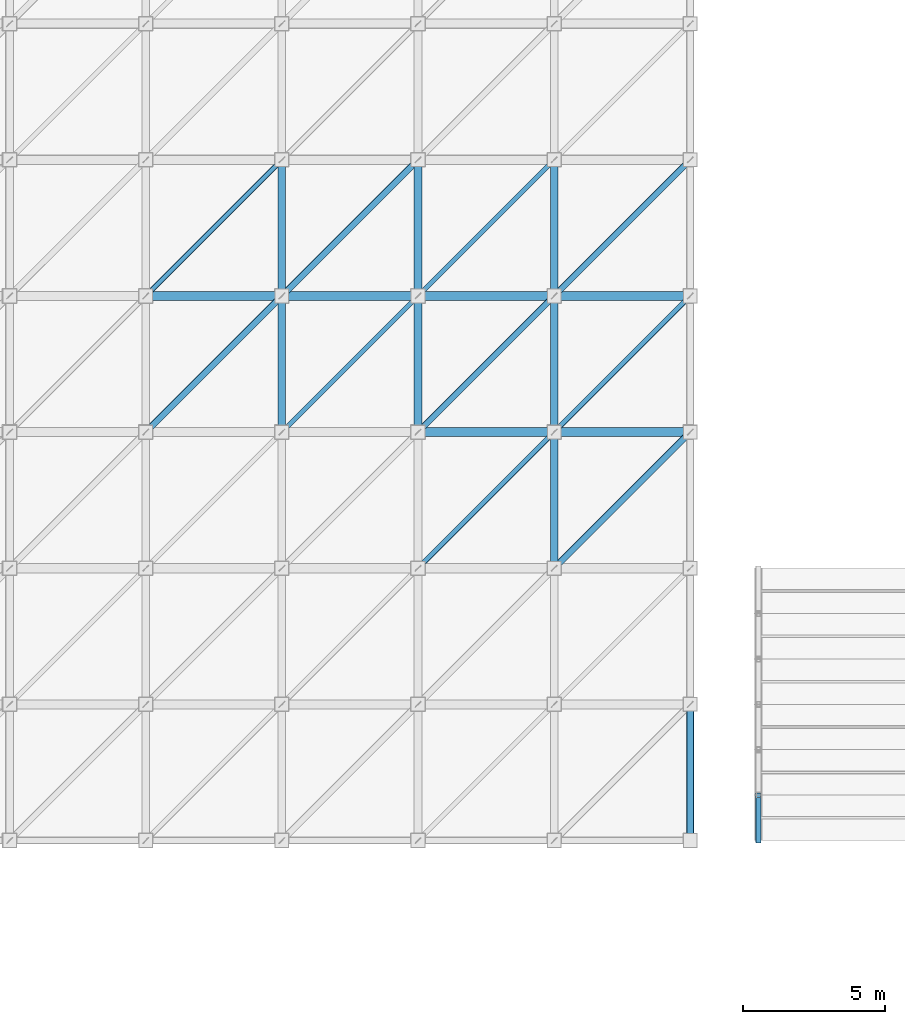
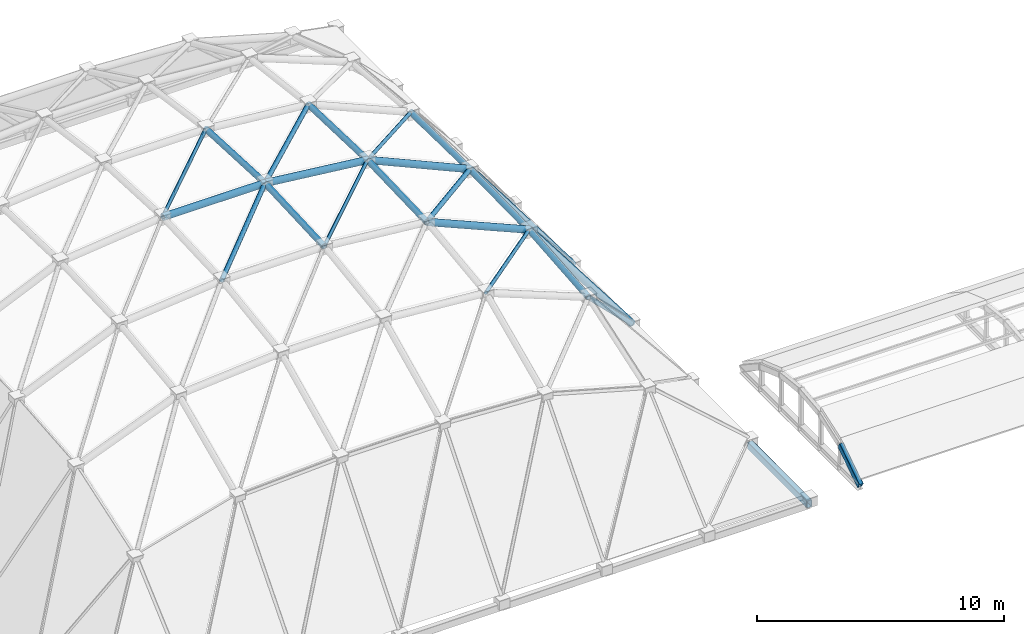
# One storey, part 3 of 70: 24 members, 1 beam.
"""IFC4 building model written with IfcOpenShell, lengths in metres."""

from ifc_helpers import new_model, si_unit, direction, frame, origin, origin_2d, place, context, subcontext, project, spatial, hollow_rectangle, hollow_circle, extrude, material, material_profile, profile_set, type_object, element, save


model = new_model("IFC4")

# Units and contexts
model_context = context("Model", 3, precision=1e-05, world=origin(), true_north=direction((0.0, 1.0)))
body_context = subcontext(model_context, "Body", "Model", "MODEL_VIEW")
ifc_project = project(units=[si_unit("LENGTHUNIT", "METRE"), si_unit("AREAUNIT", "SQUARE_METRE"), si_unit("VOLUMEUNIT", "CUBIC_METRE"), si_unit("PLANEANGLEUNIT", "RADIAN"), si_unit("MASSUNIT", "GRAM", prefix="KILO")], contexts=[model_context])

# Site, building, storey
site_placement = place(None, origin())
site = spatial("IfcSite", under=ifc_project, at=site_placement, CompositionType="ELEMENT")
building_placement = place(site_placement, origin())
building = spatial("IfcBuilding", under=site, at=building_placement, Name="Mavantir Sound Aquarium", CompositionType="ELEMENT")
storey_placement = place(building_placement, frame((0.0, 0.0, 27.0)))
storey = spatial("IfcBuildingStorey", under=building, at=storey_placement, Name="RF", CompositionType="ELEMENT", Elevation=27.0)

# Beam
ifc_material = material(Name="Hollow Structural Steel ASTM A500 GrC", Category="steel")
ifc_material_profile_1 = material_profile(ifc_material, hollow_rectangle(XDim=0.25, YDim=0.35009765625, WallThickness=0.012451171875, InnerFilletRadius=0.012451171875, OuterFilletRadius=0.02490234375, at=origin_2d()), Name="RHS 350X250X12.5")
ifc_profile_set_1 = profile_set([ifc_material_profile_1], Name="Hollow Structural Steel ASTM A500 GrC")
beam_type = type_object("IfcBeamType", Name="BM-RB-RHS350-E", PredefinedType="BEAM", material=ifc_profile_set_1)
beam_placement = place(storey_placement, frame((33.60009765625, 40.800048828125, -7.419921875), z_axis=(0.0, 0.999991302772, 0.004170656977), x_axis=(-1.0, 0.0, 0.0)))
element("IfcBeam", 1, at=beam_placement, inside=storey, type_object=beam_type, Name="Gridshell perimeter ring beam RB-02 16", PredefinedType="BEAM", context=body_context, shape_type="SweptSolid", body=[
    extrude(hollow_rectangle(XDim=0.25, YDim=0.35009765625, WallThickness=0.012451171875, InnerFilletRadius=0.012451171875, OuterFilletRadius=0.02490234375, at=origin_2d()), origin(), (0.0, 0.0, 1.0), 4.800048828125),
])

# Members
ifc_material_profile_2 = material_profile(ifc_material, hollow_rectangle(XDim=0.199951171875, YDim=0.300048828125, WallThickness=0.012451171875, InnerFilletRadius=0.012451171875, OuterFilletRadius=0.02490234375, at=origin_2d()), Name="RHS 300X200X12.5")
ifc_profile_set_2 = profile_set([ifc_material_profile_2], Name="Hollow Structural Steel ASTM A500 GrC")
member_type_1 = type_object("IfcMemberType", Name="MEM-AR-RHS300", PredefinedType="CHORD", material=ifc_profile_set_2)
member_1_placement = place(storey_placement, frame((36.0, 40.800048828125, -7.35009765625), z_axis=(0.0, 0.833319769335, 0.552791246345), x_axis=(-1.0, 0.0, 0.0)))
element("IfcMember", 2, at=member_1_placement, inside=storey, type_object=member_type_1, Name="V2 barrel vault arch rib 2", PredefinedType="CHORD", context=body_context, shape_type="SweptSolid", body=[
    extrude(hollow_rectangle(XDim=0.199951171875, YDim=0.300048828125, WallThickness=0.012451171875, InnerFilletRadius=0.012451171875, OuterFilletRadius=0.02490234375, at=origin_2d()), origin(), (0.0, 0.0, 1.0), 1.919921875),
])
ifc_material_profile_3 = material_profile(ifc_material, hollow_circle(Radius=0.084228515625, WallThickness=0.008056640625, at=origin_2d()), Name="CHS 168.3X8")
ifc_profile_set_3 = profile_set([ifc_material_profile_3], Name="Hollow Structural Steel ASTM A500 GrC")
member_type_2 = type_object("IfcMemberType", Name="MEM-GS-CH168", PredefinedType="BRACE", material=ifc_profile_set_3)
member_2_placement = place(storey_placement, frame((14.39990234375, 60.0, 1.867919921875), z_axis=(0.706717504442, 0.706717504442, -0.033177369239), x_axis=(-0.707106781187, 0.707106781187, 0.0)))
element("IfcMember", 3, at=member_2_placement, inside=storey, type_object=member_type_2, Name="Gridshell diagonal brace 29", PredefinedType="BRACE", context=body_context, shape_type="SweptSolid", body=[
    extrude(hollow_circle(Radius=0.084228515625, WallThickness=0.008056640625, at=origin_2d()), origin(), (0.0, 0.0, 1.0), 6.7919921875),
])
member_3_placement = place(storey_placement, frame((19.199951171875, 55.199951171875, 1.642578125), z_axis=(0.706378416175, 0.706378416175, -0.045376936047), x_axis=(-0.707106781187, 0.707106781187, 0.0)))
element("IfcMember", 4, at=member_3_placement, inside=storey, type_object=member_type_2, Name="Gridshell diagonal brace 36", PredefinedType="BRACE", context=body_context, shape_type="SweptSolid", body=[
    extrude(hollow_circle(Radius=0.084228515625, WallThickness=0.008056640625, at=origin_2d()), origin(), (0.0, 0.0, 1.0), 6.79541015625),
])
member_4_placement = place(storey_placement, frame((24.0, 50.39990234375, 0.575927734375), z_axis=(0.691140600097, 0.691140600097, -0.21130390861), x_axis=(-0.707106781187, 0.707106781187, 0.0)))
element("IfcMember", 5, at=member_4_placement, inside=storey, type_object=member_type_2, Name="Gridshell diagonal brace 43", PredefinedType="BRACE", context=body_context, shape_type="SweptSolid", body=[
    extrude(hollow_circle(Radius=0.084228515625, WallThickness=0.008056640625, at=origin_2d()), origin(), (0.0, 0.0, 1.0), 6.945068359375),
])
member_5_placement = place(storey_placement, frame((24.0, 60.0, 1.334228515625), z_axis=(0.671909067511, 0.671909067511, -0.311570874752), x_axis=(-0.707106781187, 0.707106781187, 0.0)))
element("IfcMember", 6, at=member_5_placement, inside=storey, type_object=member_type_2, Name="Gridshell diagonal brace 45", PredefinedType="BRACE", context=body_context, shape_type="SweptSolid", body=[
    extrude(hollow_circle(Radius=0.084228515625, WallThickness=0.008056640625, at=origin_2d()), origin(), (0.0, 0.0, 1.0), 7.143798828125),
])
member_6_placement = place(storey_placement, frame((28.800048828125, 55.199951171875, -0.8916015625), z_axis=(0.517975495751, 0.517975495751, -0.680736932745), x_axis=(-0.707106781187, 0.707106781187, 0.0)))
element("IfcMember", 7, at=member_6_placement, inside=storey, type_object=member_type_2, Name="Gridshell diagonal brace 52", PredefinedType="BRACE", context=body_context, shape_type="SweptSolid", body=[
    extrude(hollow_circle(Radius=0.084228515625, WallThickness=0.008056640625, at=origin_2d()), origin(), (0.0, 0.0, 1.0), 9.266845703125),
])
ifc_material_profile_4 = material_profile(ifc_material, hollow_circle(Radius=0.109619140625, WallThickness=0.010009765625, at=origin_2d()), Name="CHS 219.1X10")
ifc_profile_set_4 = profile_set([ifc_material_profile_4], Name="Hollow Structural Steel ASTM A500 GrC")
member_type_3 = type_object("IfcMemberType", Name="MEM-GS-CH219", PredefinedType="BRACE", material=ifc_profile_set_4)
member_7_placement = place(storey_placement, frame((14.39990234375, 55.199951171875, 1.642578125), z_axis=(0.706717504442, 0.706717504442, 0.033177369239), x_axis=(-0.707106781187, 0.707106781187, 0.0)))
element("IfcMember", 8, at=member_7_placement, inside=storey, type_object=member_type_3, Name="Gridshell diagonal brace 28", PredefinedType="BRACE", context=body_context, shape_type="SweptSolid", body=[
    extrude(hollow_circle(Radius=0.109619140625, WallThickness=0.010009765625, at=origin_2d()), origin(), (0.0, 0.0, 1.0), 6.7919921875),
])
member_8_placement = place(storey_placement, frame((19.199951171875, 60.0, 1.867919921875), z_axis=(0.7034443295, 0.7034443295, -0.101647186822), x_axis=(-0.707106781187, 0.707106781187, 0.0)))
element("IfcMember", 9, at=member_8_placement, inside=storey, type_object=member_type_3, Name="Gridshell diagonal brace 37", PredefinedType="BRACE", context=body_context, shape_type="SweptSolid", body=[
    extrude(hollow_circle(Radius=0.109619140625, WallThickness=0.010009765625, at=origin_2d()), origin(), (0.0, 0.0, 1.0), 6.82373046875),
])
member_9_placement = place(storey_placement, frame((24.0, 55.199951171875, 1.17431640625), z_axis=(0.678879899321, 0.678879899321, -0.27972158407), x_axis=(-0.707106781187, 0.707106781187, 0.0)))
element("IfcMember", 10, at=member_9_placement, inside=storey, type_object=member_type_3, Name="Gridshell diagonal brace 44", PredefinedType="BRACE", context=body_context, shape_type="SweptSolid", body=[
    extrude(hollow_circle(Radius=0.109619140625, WallThickness=0.010009765625, at=origin_2d()), origin(), (0.0, 0.0, 1.0), 7.070556640625),
])
member_10_placement = place(storey_placement, frame((28.800048828125, 50.39990234375, -1.315673828125), z_axis=(0.534310446833, 0.534310446833, -0.654999765504), x_axis=(-0.707106781187, 0.707106781187, 0.0)))
element("IfcMember", 11, at=member_10_placement, inside=storey, type_object=member_type_3, Name="Gridshell diagonal brace 51", PredefinedType="BRACE", context=body_context, shape_type="SweptSolid", body=[
    extrude(hollow_circle(Radius=0.109619140625, WallThickness=0.010009765625, at=origin_2d()), origin(), (0.0, 0.0, 1.0), 8.983642578125),
])
member_11_placement = place(storey_placement, frame((28.800048828125, 60.0, -0.803466796875), z_axis=(0.514631230673, 0.514631230673, -0.685791070832), x_axis=(-0.707106781187, 0.707106781187, 0.0)))
element("IfcMember", 12, at=member_11_placement, inside=storey, type_object=member_type_3, Name="Gridshell diagonal brace 53", PredefinedType="BRACE", context=body_context, shape_type="SweptSolid", body=[
    extrude(hollow_circle(Radius=0.109619140625, WallThickness=0.010009765625, at=origin_2d()), origin(), (0.0, 0.0, 1.0), 9.3271484375),
])
ifc_material_profile_5 = material_profile(ifc_material, hollow_circle(Radius=0.136474609375, WallThickness=0.010009765625, at=origin_2d()), Name="CHS 273X10")
ifc_profile_set_5 = profile_set([ifc_material_profile_5], Name="Hollow Structural Steel ASTM A500 GrC")
member_type_4 = type_object("IfcMemberType", Name="MEM-GS-CH273", PredefinedType="CHORD", material=ifc_profile_set_5)
for number, where, z_axis, x_axis, name in (
    (13, (19.199951171875, 55.199951171875, 1.642578125), (0.0, 0.998899867316, 0.046894083594), (-1.0, 0.0, 0.0), "Roof truss gridshell meridional chord 77"),
    (14, (19.199951171875, 60.0, 1.867919921875), (0.0, 0.998899867316, -0.046894083594), (-1.0, 0.0, 0.0), "Roof truss gridshell meridional chord 78"),
):
    element("IfcMember", number, at=place(storey_placement, frame(where, z_axis=z_axis, x_axis=x_axis)), inside=storey, type_object=member_type_4, Name=name, PredefinedType="CHORD", context=body_context, shape_type="SweptSolid", body=[
        extrude(hollow_circle(Radius=0.136474609375, WallThickness=0.010009765625, at=origin_2d()), origin(), (0.0, 0.0, 1.0), 4.805419921875),
    ])
for number, where, z_axis, x_axis, name in (
    (15, (24.0, 55.199951171875, 1.17431640625), (0.0, 0.99944552742, 0.033296211813), (-1.0, 0.0, 0.0), "Roof truss gridshell meridional chord 85"),
    (16, (24.0, 60.0, 1.334228515625), (0.0, 0.99944552742, -0.033296211813), (-1.0, 0.0, 0.0), "Roof truss gridshell meridional chord 86"),
):
    element("IfcMember", number, at=place(storey_placement, frame(where, z_axis=z_axis, x_axis=x_axis)), inside=storey, type_object=member_type_4, Name=name, PredefinedType="CHORD", context=body_context, shape_type="SweptSolid", body=[
        extrude(hollow_circle(Radius=0.136474609375, WallThickness=0.010009765625, at=origin_2d()), origin(), (0.0, 0.0, 1.0), 4.802734375),
    ])
member_12_placement = place(storey_placement, frame((28.800048828125, 50.39990234375, -1.315673828125), z_axis=(0.0, 0.996120058811, 0.088004706889), x_axis=(-1.0, 0.0, 0.0)))
element("IfcMember", 17, at=member_12_placement, inside=storey, type_object=member_type_4, Name="Roof truss gridshell meridional chord 92", PredefinedType="CHORD", context=body_context, shape_type="SweptSolid", body=[
    extrude(hollow_circle(Radius=0.136474609375, WallThickness=0.010009765625, at=origin_2d()), origin(), (0.0, 0.0, 1.0), 4.81884765625),
])
for number, where, z_axis, x_axis, name in (
    (18, (28.800048828125, 55.199951171875, -0.8916015625), (0.0, 0.99983147536, 0.018358128407), (-1.0, 0.0, 0.0), "Roof truss gridshell meridional chord 93"),
    (19, (28.800048828125, 60.0, -0.803466796875), (0.0, 0.99983147536, -0.018358128407), (-1.0, 0.0, 0.0), "Roof truss gridshell meridional chord 94"),
):
    element("IfcMember", number, at=place(storey_placement, frame(where, z_axis=z_axis, x_axis=x_axis)), inside=storey, type_object=member_type_4, Name=name, PredefinedType="CHORD", context=body_context, shape_type="SweptSolid", body=[
        extrude(hollow_circle(Radius=0.136474609375, WallThickness=0.010009765625, at=origin_2d()), origin(), (0.0, 0.0, 1.0), 4.80078125),
    ])
ifc_material_profile_6 = material_profile(ifc_material, hollow_circle(Radius=0.161865234375, WallThickness=0.012451171875, at=origin_2d()), Name="CHS 323.9X12.5")
ifc_profile_set_6 = profile_set([ifc_material_profile_6], Name="Hollow Structural Steel ASTM A500 GrC")
member_type_5 = type_object("IfcMemberType", Name="MEM-GS-CH324", PredefinedType="CHORD", material=ifc_profile_set_6)
member_13_placement = place(storey_placement, frame((24.0, 55.199951171875, 1.17431640625), z_axis=(0.918537402152, 0.0, -0.395334087636), x_axis=(0.0, 1.0, 0.0)))
element("IfcMember", 20, at=member_13_placement, inside=storey, type_object=member_type_5, Name="Roof truss gridshell longitudinal chord 20", PredefinedType="CHORD", context=body_context, shape_type="SweptSolid", body=[
    extrude(hollow_circle(Radius=0.161865234375, WallThickness=0.012451171875, at=origin_2d()), origin(), (0.0, 0.0, 1.0), 5.225830078125),
])
member_14_placement = place(storey_placement, frame((28.800048828125, 55.199951171875, -0.8916015625), z_axis=(0.605539218427, 0.0, -0.795815465385), x_axis=(0.0, 1.0, 0.0)))
element("IfcMember", 21, at=member_14_placement, inside=storey, type_object=member_type_5, Name="Roof truss gridshell longitudinal chord 21", PredefinedType="CHORD", context=body_context, shape_type="SweptSolid", body=[
    extrude(hollow_circle(Radius=0.161865234375, WallThickness=0.012451171875, at=origin_2d()), origin(), (0.0, 0.0, 1.0), 7.927001953125),
])
member_15_placement = place(storey_placement, frame((14.39990234375, 60.0, 1.867919921875), z_axis=(1.0, 0.0, 0.0), x_axis=(0.0, 1.0, 0.0)))
element("IfcMember", 22, at=member_15_placement, inside=storey, type_object=member_type_5, Name="Roof truss gridshell longitudinal chord 25", PredefinedType="CHORD", context=body_context, shape_type="SweptSolid", body=[
    extrude(hollow_circle(Radius=0.161865234375, WallThickness=0.012451171875, at=origin_2d()), origin(), (0.0, 0.0, 1.0), 4.800048828125),
])
member_16_placement = place(storey_placement, frame((19.199951171875, 60.0, 1.867919921875), z_axis=(0.993875717934, 0.0, -0.110503652887), x_axis=(0.0, 1.0, 0.0)))
element("IfcMember", 23, at=member_16_placement, inside=storey, type_object=member_type_5, Name="Roof truss gridshell longitudinal chord 26", PredefinedType="CHORD", context=body_context, shape_type="SweptSolid", body=[
    extrude(hollow_circle(Radius=0.161865234375, WallThickness=0.012451171875, at=origin_2d()), origin(), (0.0, 0.0, 1.0), 4.82958984375),
])
member_17_placement = place(storey_placement, frame((24.0, 60.0, 1.334228515625), z_axis=(0.913504729749, 0.0, -0.406828107099), x_axis=(0.0, 1.0, 0.0)))
element("IfcMember", 24, at=member_17_placement, inside=storey, type_object=member_type_5, Name="Roof truss gridshell longitudinal chord 27", PredefinedType="CHORD", context=body_context, shape_type="SweptSolid", body=[
    extrude(hollow_circle(Radius=0.161865234375, WallThickness=0.012451171875, at=origin_2d()), origin(), (0.0, 0.0, 1.0), 5.254638671875),
])
member_18_placement = place(storey_placement, frame((28.800048828125, 60.0, -0.803466796875), z_axis=(0.600214896861, 0.0, -0.799838782247), x_axis=(0.0, 1.0, 0.0)))
element("IfcMember", 25, at=member_18_placement, inside=storey, type_object=member_type_5, Name="Roof truss gridshell longitudinal chord 28", PredefinedType="CHORD", context=body_context, shape_type="SweptSolid", body=[
    extrude(hollow_circle(Radius=0.161865234375, WallThickness=0.012451171875, at=origin_2d()), origin(), (0.0, 0.0, 1.0), 7.997314453125),
])

save(model, "model.ifc")
